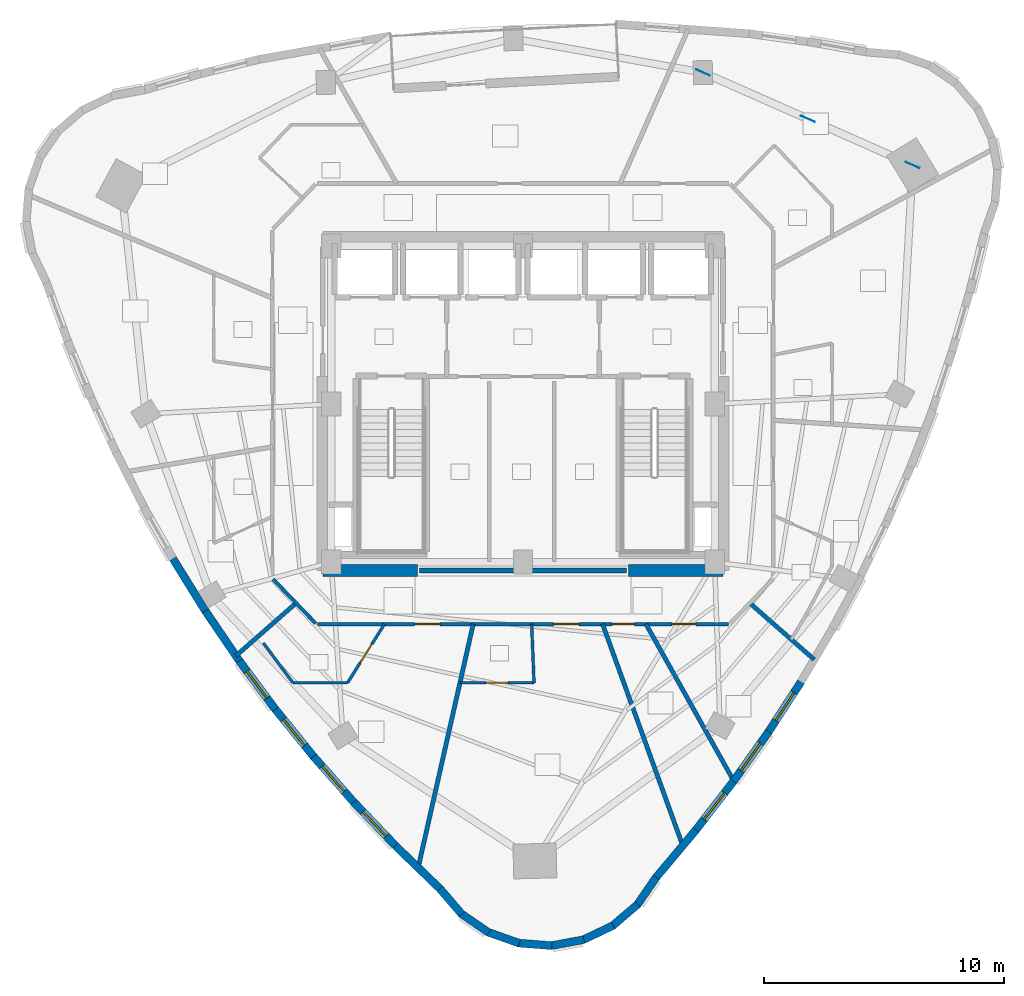
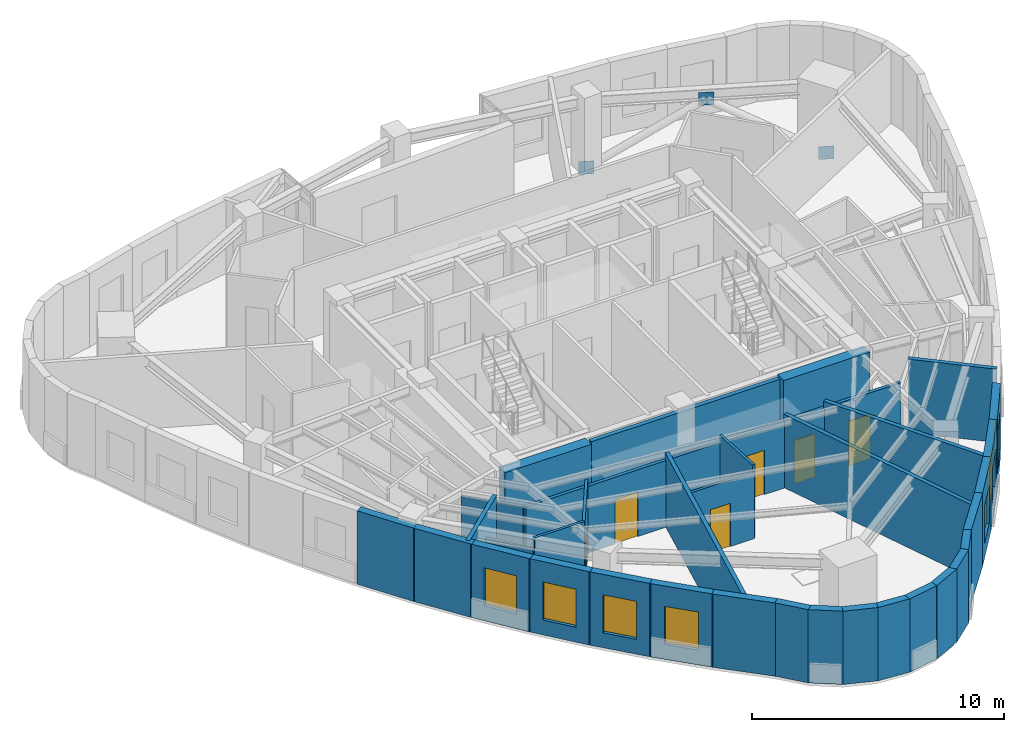
# One storey, part 5 of 12: 34 walls, 7 windows, 6 doors, 3 plates, 13 openings.
"""IFC4 building model written with IfcOpenShell, lengths in metres."""

from ifc_helpers import new_model, si_unit, direction, frame, frame_2d, origin, origin_2d, place, context, subcontext, project, spatial, rectangle, extrude, material, layer, layer_set, type_object, element, fill, save


model = new_model("IFC4")

# Units and contexts
model_context = context("Model", 3, precision=1e-05, world=origin(), true_north=direction((0.0, 1.0)))
body_context = subcontext(model_context, "Body", "Model", "MODEL_VIEW")
ifc_project = project(units=[si_unit("LENGTHUNIT", "METRE"), si_unit("AREAUNIT", "SQUARE_METRE"), si_unit("VOLUMEUNIT", "CUBIC_METRE"), si_unit("PLANEANGLEUNIT", "RADIAN"), si_unit("MASSUNIT", "GRAM", prefix="KILO")], contexts=[model_context])

# Site, building, storey
site_placement = place(None, origin())
site = spatial("IfcSite", under=ifc_project, at=site_placement, CompositionType="ELEMENT")
building_placement = place(site_placement, origin())
building = spatial("IfcBuilding", under=site, at=building_placement, Name="Ndelora Gate Hotel", CompositionType="ELEMENT")
storey_placement = place(building_placement, frame((0.0, 0.0, 220.75)))
storey = spatial("IfcBuildingStorey", under=building, at=storey_placement, Name="L55", CompositionType="ELEMENT", Elevation=220.75)

# Plates
ifc_material_1 = material(Name="Steel S355", Category="steel")
ifc_layer_1 = layer(ifc_material_1, 0.02001953125)
ifc_layer_set_1 = layer_set([ifc_layer_1], Name="Steel S355")
plate_type = type_object("IfcPlateType", Name="PL-NODE-VN1", PredefinedType="USERDEFINED", material=ifc_layer_set_1)
for number, where, z_axis, x_axis, name in (
    (1, (16.26025390625, 9.96435546875, -0.2900390625), (0.0, 0.0, 1.0), (-0.914818748228, 0.403864652935, 0.0), "Node gusset cap plate VN1"),
    (2, (7.50830078125, 13.828369140625, -0.2900390625), (0.0, 0.0, 1.0), (-0.914818748228, 0.403864652935, 0.0), "Node gusset cap plate VN1"),
    (3, (11.88427734375, 11.896484375, 2.68994140625), (0.0, 0.0, 1.0), (-0.914818748228, 0.403864652935, 0.0), "Node gusset cap plate VN1"),
):
    element("IfcPlate", number, at=place(storey_placement, frame(where, z_axis=z_axis, x_axis=x_axis)), inside=storey, type_object=plate_type, Name=name, ObjectType="GUSSET_PLATE", PredefinedType="USERDEFINED", context=body_context, shape_type="SweptSolid", body=[
        extrude(rectangle(XDim=0.6201171875, YDim=0.02001953125, at=origin_2d()), origin(), (0.0, 0.0, 1.0), 0.6201171875),
    ])

# Walls
ifc_material_2 = material(Name="Acoustic Double-Stud Gypsum Assembly", Category="gypsum")
ifc_layer_2 = layer(ifc_material_2, 0.179931640625)
ifc_layer_set_2 = layer_set([ifc_layer_2], Name="Acoustic Double-Stud Gypsum Assembly")
wall_type_1 = type_object("IfcWallType", Name="WL-ACOUST-180", PredefinedType="PARTITIONING", material=ifc_layer_set_2)
wall_1_placement = place(storey_placement, frame((9.464111328125, -8.3037109375, 0.0), z_axis=(0.0, 0.0, 1.0), x_axis=(0.751709245101, -0.659494663231, 0.0)))
element("IfcWall", 4, at=wall_1_placement, inside=storey, type_object=wall_type_1, Name="L55 Interior Wall IW-3", PredefinedType="PARTITIONING", context=body_context, shape_type="SweptSolid", body=[
    extrude(rectangle(XDim=3.576904296875, YDim=0.179931640625, at=frame_2d((1.78857421875, 0.0))), origin(), (0.0, 0.0, 1.0), 3.550048828125),
])
wall_2_placement = place(storey_placement, frame((-9.464111328125, -8.3037109375, 0.0), z_axis=(0.0, 0.0, 1.0), x_axis=(-0.751711445712, -0.659492154909, 0.0)))
element("IfcWall", 5, at=wall_2_placement, inside=storey, type_object=wall_type_1, Name="L55 Interior Wall IW-3", PredefinedType="PARTITIONING", context=body_context, shape_type="SweptSolid", body=[
    extrude(rectangle(XDim=3.341064453125, YDim=0.179931640625, at=frame_2d((1.67041015625, 0.0))), origin(), (0.0, 0.0, 1.0), 3.550048828125),
])
wall_3_placement = place(storey_placement, frame((-2.073486328125, -9.179931640625, 0.0), z_axis=(0.0, 0.0, 1.0), x_axis=(-0.220339233084, -0.975423304194, 0.0)))
element("IfcWall", 6, at=wall_3_placement, inside=storey, type_object=wall_type_1, Name="L55 Interior Wall IW-3", PredefinedType="PARTITIONING", context=body_context, shape_type="SweptSolid", body=[
    extrude(rectangle(XDim=10.423095703125, YDim=0.179931640625, at=frame_2d((5.21142578125, 0.0))), origin(), (0.0, 0.0, 1.0), 3.550048828125),
])
wall_4_placement = place(storey_placement, frame((3.322021484375, -9.179931640625, 0.0), z_axis=(0.0, 0.0, 1.0), x_axis=(0.340249588168, -0.940335162456, 0.0)))
element("IfcWall", 7, at=wall_4_placement, inside=storey, type_object=wall_type_1, Name="L55 Interior Wall IW-3", PredefinedType="PARTITIONING", context=body_context, shape_type="SweptSolid", body=[
    extrude(rectangle(XDim=9.833740234375, YDim=0.179931640625, at=frame_2d((4.9169921875, 0.0))), origin(), (0.0, 0.0, 1.0), 3.550048828125),
])
wall_5_placement = place(storey_placement, frame((5.13330078125, -9.179931640625, 0.0), z_axis=(0.0, 0.0, 1.0), x_axis=(0.488070082924, -0.872804442103, 0.0)))
element("IfcWall", 8, at=wall_5_placement, inside=storey, type_object=wall_type_1, Name="L55 Interior Wall IW-3", PredefinedType="PARTITIONING", context=body_context, shape_type="SweptSolid", body=[
    extrude(rectangle(XDim=7.501220703125, YDim=0.179931640625, at=frame_2d((3.75048828125, 0.0))), origin(), (0.0, 0.0, 1.0), 3.550048828125),
])
ifc_material_3 = material(Name="Clay Brick Masonry", Category="masonry")
ifc_layer_3 = layer(ifc_material_3, 0.330078125)
ifc_layer_set_3 = layer_set([ifc_layer_3], Name="Clay Brick Masonry")
wall_type_2 = type_object("IfcWallType", Name="WL-BRICK-330", PredefinedType="SOLIDWALL", material=ifc_layer_set_3)
wall_6_placement = place(storey_placement, frame((-13.249755859375, -8.63427734375, 0.0), z_axis=(0.0, 0.0, 1.0), x_axis=(-0.526908054593, 0.849922291745, 0.0)))
element("IfcWall", 9, at=wall_6_placement, inside=storey, type_object=wall_type_2, Name="L55 Tower Brick Pier-and-Spandrel Wall TWR-14", PredefinedType="SOLIDWALL", context=body_context, shape_type="SweptSolid", body=[
    extrude(rectangle(XDim=2.56591796875, YDim=0.330078125, at=frame_2d((1.282958984375, 0.0))), origin(), (0.0, 0.0, 1.0), 3.550048828125),
])
wall_7_placement = place(storey_placement, frame((-11.83447265625, -10.714599609375, 0.0), z_axis=(0.0, 0.0, 1.0), x_axis=(-0.562164288669, 0.827025581554, 0.0)))
element("IfcWall", 10, at=wall_7_placement, inside=storey, type_object=wall_type_2, Name="L55 Tower Brick Pier-and-Spandrel Wall TWR-15", PredefinedType="SOLIDWALL", context=body_context, shape_type="SweptSolid", body=[
    extrude(rectangle(XDim=2.566162109375, YDim=0.330078125, at=frame_2d((1.283203125, 0.0))), origin(), (0.0, 0.0, 1.0), 3.550048828125),
])

# Wall, opening, window
wall_8_placement = place(storey_placement, frame((-10.330810546875, -12.737548828125, 0.0), z_axis=(0.0, 0.0, 1.0), x_axis=(-0.596178851143, 0.802851653451, 0.0)))
wall_8 = element("IfcWall", 11, at=wall_8_placement, inside=storey, type_object=wall_type_2, Name="L55 Tower Brick Pier-and-Spandrel Wall TWR-16", PredefinedType="SOLIDWALL", context=body_context, shape_type="SweptSolid", body=[
    extrude(rectangle(XDim=2.570556640625, YDim=0.330078125, at=frame_2d((1.28515625, 0.0))), origin(), (0.0, 0.0, 1.0), 3.550048828125),
])
opening_1_placement = place(wall_8_placement, frame((0.585205078125, 0.0, 0.719970703125)))
opening_1 = element("IfcOpeningElement", 12, at=opening_1_placement, cuts=wall_8, Name="Opening W02", PredefinedType="OPENING", context=body_context, shape_type="SweptSolid", body=[
    extrude(rectangle(XDim=1.39990234375, YDim=1.840087890625, at=frame_2d((0.699951171875, 0.919921875))), frame((0.0, 0.175048828125, 0.0), z_axis=(0.0, -1.0, 0.0), x_axis=(1.0, 0.0, 0.0)), (0.0, 0.0, 1.0), 0.35009765625),
])
ifc_material_4 = material(Name="Insulated Low-E Double Glazing in Bronze Aluminium Frame", Category="aluminium")
window_type = type_object("IfcWindowType", Name="WN-DEEP-1400", PartitioningType="SINGLE_PANEL", PredefinedType="WINDOW", material=ifc_material_4)
window_1_placement = place(opening_1_placement, origin())
window_1 = element("IfcWindow", 13, at=window_1_placement, inside=storey, type_object=window_type, Name="L55 Deep-Set Brick-Pier Window W02", OverallHeight=1.840087890625, OverallWidth=1.39990234375, PartitioningType="SINGLE_PANEL", PredefinedType="WINDOW", context=body_context, shape_type="SweptSolid", body=[
    extrude(rectangle(XDim=1.39990234375, YDim=1.840087890625, at=frame_2d((0.699951171875, 0.919921875))), frame((0.0, 0.030029296875, 0.0), z_axis=(0.0, -1.0, 0.0), x_axis=(1.0, 0.0, 0.0)), (0.0, 0.0, 1.0), 0.06005859375),
])
fill(opening_1, window_1)

wall_9_placement = place(storey_placement, frame((-8.738525390625, -14.702880859375, 0.0), z_axis=(0.0, 0.0, 1.0), x_axis=(-0.629151938827, 0.777282341154, 0.0)))
wall_9 = element("IfcWall", 14, at=wall_9_placement, inside=storey, type_object=wall_type_2, Name="L55 Tower Brick Pier-and-Spandrel Wall TWR-17", PredefinedType="SOLIDWALL", context=body_context, shape_type="SweptSolid", body=[
    extrude(rectangle(XDim=2.579345703125, YDim=0.330078125, at=frame_2d((1.28955078125, 0.0))), origin(), (0.0, 0.0, 1.0), 3.550048828125),
])
opening_2_placement = place(wall_9_placement, frame((0.589599609375, 0.0, 0.719970703125)))
opening_2 = element("IfcOpeningElement", 15, at=opening_2_placement, cuts=wall_9, Name="Opening W02", PredefinedType="OPENING", context=body_context, shape_type="SweptSolid", body=[
    extrude(rectangle(XDim=1.39990234375, YDim=1.840087890625, at=frame_2d((0.699951171875, 0.919921875))), frame((0.0, 0.175048828125, 0.0), z_axis=(0.0, -1.0, 0.0), x_axis=(1.0, 0.0, 0.0)), (0.0, 0.0, 1.0), 0.35009765625),
])
window_2_placement = place(opening_2_placement, origin())
window_2 = element("IfcWindow", 16, at=window_2_placement, inside=storey, type_object=window_type, Name="L55 Deep-Set Brick-Pier Window W02", OverallHeight=1.840087890625, OverallWidth=1.39990234375, PartitioningType="SINGLE_PANEL", PredefinedType="WINDOW", context=body_context, shape_type="SweptSolid", body=[
    extrude(rectangle(XDim=1.39990234375, YDim=1.840087890625, at=frame_2d((0.699951171875, 0.919921875))), frame((0.0, 0.030029296875, 0.0), z_axis=(0.0, -1.0, 0.0), x_axis=(1.0, 0.0, 0.0)), (0.0, 0.0, 1.0), 0.06005859375),
])
fill(opening_2, window_2)

wall_10_placement = place(storey_placement, frame((-7.057861328125, -16.61083984375, 0.0), z_axis=(0.0, 0.0, 1.0), x_axis=(-0.660708561144, 0.75064252293, 0.0)))
wall_10 = element("IfcWall", 17, at=wall_10_placement, inside=storey, type_object=wall_type_2, Name="L55 Tower Brick Pier-and-Spandrel Wall TWR-18", PredefinedType="SOLIDWALL", context=body_context, shape_type="SweptSolid", body=[
    extrude(rectangle(XDim=2.592529296875, YDim=0.330078125, at=frame_2d((1.29638671875, 0.0))), origin(), (0.0, 0.0, 1.0), 3.550048828125),
])
opening_3_placement = place(wall_10_placement, frame((0.59619140625, 0.0, 0.719970703125)))
opening_3 = element("IfcOpeningElement", 18, at=opening_3_placement, cuts=wall_10, Name="Opening W02", PredefinedType="OPENING", context=body_context, shape_type="SweptSolid", body=[
    extrude(rectangle(XDim=1.39990234375, YDim=1.840087890625, at=frame_2d((0.699951171875, 0.919921875))), frame((0.0, 0.175048828125, 0.0), z_axis=(0.0, -1.0, 0.0), x_axis=(1.0, 0.0, 0.0)), (0.0, 0.0, 1.0), 0.35009765625),
])
window_3_placement = place(opening_3_placement, origin())
window_3 = element("IfcWindow", 19, at=window_3_placement, inside=storey, type_object=window_type, Name="L55 Deep-Set Brick-Pier Window W02", OverallHeight=1.840087890625, OverallWidth=1.39990234375, PartitioningType="SINGLE_PANEL", PredefinedType="WINDOW", context=body_context, shape_type="SweptSolid", body=[
    extrude(rectangle(XDim=1.39990234375, YDim=1.840087890625, at=frame_2d((0.699951171875, 0.919921875))), frame((0.0, 0.030029296875, 0.0), z_axis=(0.0, -1.0, 0.0), x_axis=(1.0, 0.0, 0.0)), (0.0, 0.0, 1.0), 0.06005859375),
])
fill(opening_3, window_3)

wall_11_placement = place(storey_placement, frame((-5.28857421875, -18.461181640625, 0.0), z_axis=(0.0, 0.0, 1.0), x_axis=(-0.690836041792, 0.723011454516, 0.0)))
wall_11 = element("IfcWall", 20, at=wall_11_placement, inside=storey, type_object=wall_type_2, Name="L55 Tower Brick Pier-and-Spandrel Wall TWR-19", PredefinedType="SOLIDWALL", context=body_context, shape_type="SweptSolid", body=[
    extrude(rectangle(XDim=2.610107421875, YDim=0.330078125, at=frame_2d((1.30517578125, 0.0))), origin(), (0.0, 0.0, 1.0), 3.550048828125),
])
opening_4_placement = place(wall_11_placement, frame((0.60498046875, 0.0, 0.719970703125)))
opening_4 = element("IfcOpeningElement", 21, at=opening_4_placement, cuts=wall_11, Name="Opening W02", PredefinedType="OPENING", context=body_context, shape_type="SweptSolid", body=[
    extrude(rectangle(XDim=1.39990234375, YDim=1.840087890625, at=frame_2d((0.699951171875, 0.919921875))), frame((0.0, 0.175048828125, 0.0), z_axis=(0.0, -1.0, 0.0), x_axis=(1.0, 0.0, 0.0)), (0.0, 0.0, 1.0), 0.35009765625),
])
window_4_placement = place(opening_4_placement, origin())
window_4 = element("IfcWindow", 22, at=window_4_placement, inside=storey, type_object=window_type, Name="L55 Deep-Set Brick-Pier Window W02", OverallHeight=1.840087890625, OverallWidth=1.39990234375, PartitioningType="SINGLE_PANEL", PredefinedType="WINDOW", context=body_context, shape_type="SweptSolid", body=[
    extrude(rectangle(XDim=1.39990234375, YDim=1.840087890625, at=frame_2d((0.699951171875, 0.919921875))), frame((0.0, 0.030029296875, 0.0), z_axis=(0.0, -1.0, 0.0), x_axis=(1.0, 0.0, 0.0)), (0.0, 0.0, 1.0), 0.06005859375),
])
fill(opening_4, window_4)

# Walls
wall_12_placement = place(storey_placement, frame((-3.430908203125, -20.25390625, 0.0), z_axis=(0.0, 0.0, 1.0), x_axis=(-0.719291162425, 0.694708732964, 0.0)))
element("IfcWall", 23, at=wall_12_placement, inside=storey, type_object=wall_type_2, Name="L55 Tower Brick Pier-and-Spandrel Wall TWR-20", PredefinedType="SOLIDWALL", context=body_context, shape_type="SweptSolid", body=[
    extrude(rectangle(XDim=2.6318359375, YDim=0.330078125, at=frame_2d((1.31591796875, 0.0))), origin(), (0.0, 0.0, 1.0), 3.550048828125),
])
for number, where, z_axis, x_axis, name in (
    (24, (-2.55126953125, -21.287841796875, 0.0), (0.0, 0.0, 1.0), (-0.649318671118, 0.760516445146, 0.0), "L55 Tower Brick Pier-and-Spandrel Wall TWR-21"),
    (25, (-1.427978515625, -22.0517578125, 0.0), (0.0, 0.0, 1.0), (-0.824148199331, 0.566374209812, 0.0), "L55 Tower Brick Pier-and-Spandrel Wall TWR-22"),
    (26, (-0.1455078125, -22.4990234375, 0.0), (0.0, 0.0, 1.0), (-0.942656791627, 0.33376364871, 0.0), "L55 Tower Brick Pier-and-Spandrel Wall TWR-23"),
    (27, (1.209228515625, -22.599365234375, 0.0), (0.0, 0.0, 1.0), (-0.996907811278, 0.07857999626, 0.0), "L55 Tower Brick Pier-and-Spandrel Wall TWR-24"),
):
    element("IfcWall", number, at=place(storey_placement, frame(where, z_axis=z_axis, x_axis=x_axis)), inside=storey, type_object=wall_type_2, Name=name, PredefinedType="SOLIDWALL", context=body_context, shape_type="SweptSolid", body=[
        extrude(rectangle(XDim=1.407470703125, YDim=0.330078125, at=frame_2d((0.70361328125, 0.0))), origin(), (0.0, 0.0, 1.0), 3.550048828125),
    ])
for number, where, z_axis, x_axis, name in (
    (28, (2.543701171875, -22.34521484375, 0.0), (0.0, 0.0, 1.0), (-0.983245180137, -0.182288002174, 0.0), "L55 Tower Brick Pier-and-Spandrel Wall TWR-25"),
    (29, (3.766845703125, -21.754638671875, 0.0), (0.0, 0.0, 1.0), (-0.902597460438, -0.43048556818, 0.0), "L55 Tower Brick Pier-and-Spandrel Wall TWR-26"),
):
    element("IfcWall", number, at=place(storey_placement, frame(where, z_axis=z_axis, x_axis=x_axis)), inside=storey, type_object=wall_type_2, Name=name, PredefinedType="SOLIDWALL", context=body_context, shape_type="SweptSolid", body=[
        extrude(rectangle(XDim=1.40771484375, YDim=0.330078125, at=frame_2d((0.703857421875, 0.0))), origin(), (0.0, 0.0, 1.0), 3.550048828125),
    ])
wall_13_placement = place(storey_placement, frame((4.79541015625, -20.86767578125, 0.0), z_axis=(0.0, 0.0, 1.0), x_axis=(-0.760430782952, -0.64941898982, 0.0)))
element("IfcWall", 30, at=wall_13_placement, inside=storey, type_object=wall_type_2, Name="L55 Tower Brick Pier-and-Spandrel Wall TWR-27", PredefinedType="SOLIDWALL", context=body_context, shape_type="SweptSolid", body=[
    extrude(rectangle(XDim=1.407470703125, YDim=0.330078125, at=frame_2d((0.70361328125, 0.0))), origin(), (0.0, 0.0, 1.0), 3.550048828125),
])
wall_14_placement = place(storey_placement, frame((5.5595703125, -19.744384765625, 0.0), z_axis=(0.0, 0.0, 1.0), x_axis=(-0.566411052666, -0.824122878834, 0.0)))
element("IfcWall", 31, at=wall_14_placement, inside=storey, type_object=wall_type_2, Name="L55 Tower Brick Pier-and-Spandrel Wall TWR-28", PredefinedType="SOLIDWALL", context=body_context, shape_type="SweptSolid", body=[
    extrude(rectangle(XDim=1.40771484375, YDim=0.330078125, at=frame_2d((0.703857421875, 0.0))), origin(), (0.0, 0.0, 1.0), 3.550048828125),
])
wall_15_placement = place(storey_placement, frame((7.220703125, -17.76806640625, 0.0), z_axis=(0.0, 0.0, 1.0), x_axis=(-0.642717664635, -0.766103128545, 0.0)))
element("IfcWall", 32, at=wall_15_placement, inside=storey, type_object=wall_type_2, Name="L55 Tower Brick Pier-and-Spandrel Wall TWR-29", PredefinedType="SOLIDWALL", context=body_context, shape_type="SweptSolid", body=[
    extrude(rectangle(XDim=2.631591796875, YDim=0.330078125, at=frame_2d((1.31591796875, 0.0))), origin(), (0.0, 0.0, 1.0), 3.550048828125),
])

# Wall, opening, window
wall_16_placement = place(storey_placement, frame((8.78515625, -15.74169921875, 0.0), z_axis=(0.0, 0.0, 1.0), x_axis=(-0.611372957331, -0.791342597769, 0.0)))
wall_16 = element("IfcWall", 33, at=wall_16_placement, inside=storey, type_object=wall_type_2, Name="L55 Tower Brick Pier-and-Spandrel Wall TWR-30", PredefinedType="SOLIDWALL", context=body_context, shape_type="SweptSolid", body=[
    extrude(rectangle(XDim=2.610107421875, YDim=0.330078125, at=frame_2d((1.30517578125, 0.0))), origin(), (0.0, 0.0, 1.0), 3.550048828125),
])
opening_5_placement = place(wall_16_placement, frame((0.60498046875, 0.0, 0.719970703125)))
opening_5 = element("IfcOpeningElement", 34, at=opening_5_placement, cuts=wall_16, Name="Opening W02", PredefinedType="OPENING", context=body_context, shape_type="SweptSolid", body=[
    extrude(rectangle(XDim=1.39990234375, YDim=1.840087890625, at=frame_2d((0.699951171875, 0.919921875))), frame((0.0, 0.175048828125, 0.0), z_axis=(0.0, -1.0, 0.0), x_axis=(1.0, 0.0, 0.0)), (0.0, 0.0, 1.0), 0.35009765625),
])
window_5_placement = place(opening_5_placement, origin())
window_5 = element("IfcWindow", 35, at=window_5_placement, inside=storey, type_object=window_type, Name="L55 Deep-Set Brick-Pier Window W02", OverallHeight=1.840087890625, OverallWidth=1.39990234375, PartitioningType="SINGLE_PANEL", PredefinedType="WINDOW", context=body_context, shape_type="SweptSolid", body=[
    extrude(rectangle(XDim=1.39990234375, YDim=1.840087890625, at=frame_2d((0.699951171875, 0.919921875))), frame((0.0, 0.030029296875, 0.0), z_axis=(0.0, -1.0, 0.0), x_axis=(1.0, 0.0, 0.0)), (0.0, 0.0, 1.0), 0.06005859375),
])
fill(opening_5, window_5)

wall_17_placement = place(storey_placement, frame((10.255615234375, -13.66748046875, 0.0), z_axis=(0.0, 0.0, 1.0), x_axis=(-0.578652053692, -0.815574521891, 0.0)))
wall_17 = element("IfcWall", 36, at=wall_17_placement, inside=storey, type_object=wall_type_2, Name="L55 Tower Brick Pier-and-Spandrel Wall TWR-31", PredefinedType="SOLIDWALL", context=body_context, shape_type="SweptSolid", body=[
    extrude(rectangle(XDim=2.5927734375, YDim=0.330078125, at=frame_2d((1.29638671875, 0.0))), origin(), (0.0, 0.0, 1.0), 3.550048828125),
])
opening_6_placement = place(wall_17_placement, frame((0.59619140625, 0.0, 0.719970703125)))
opening_6 = element("IfcOpeningElement", 37, at=opening_6_placement, cuts=wall_17, Name="Opening W02", PredefinedType="OPENING", context=body_context, shape_type="SweptSolid", body=[
    extrude(rectangle(XDim=1.39990234375, YDim=1.840087890625, at=frame_2d((0.699951171875, 0.919921875))), frame((0.0, 0.175048828125, 0.0), z_axis=(0.0, -1.0, 0.0), x_axis=(1.0, 0.0, 0.0)), (0.0, 0.0, 1.0), 0.35009765625),
])
window_6_placement = place(opening_6_placement, origin())
window_6 = element("IfcWindow", 38, at=window_6_placement, inside=storey, type_object=window_type, Name="L55 Deep-Set Brick-Pier Window W02", OverallHeight=1.840087890625, OverallWidth=1.39990234375, PartitioningType="SINGLE_PANEL", PredefinedType="WINDOW", context=body_context, shape_type="SweptSolid", body=[
    extrude(rectangle(XDim=1.39990234375, YDim=1.840087890625, at=frame_2d((0.699951171875, 0.919921875))), frame((0.0, 0.030029296875, 0.0), z_axis=(0.0, -1.0, 0.0), x_axis=(1.0, 0.0, 0.0)), (0.0, 0.0, 1.0), 0.06005859375),
])
fill(opening_6, window_6)

wall_18_placement = place(storey_placement, frame((11.6318359375, -11.54541015625, 0.0), z_axis=(0.0, 0.0, 1.0), x_axis=(-0.544435959457, -0.838802411805, 0.0)))
wall_18 = element("IfcWall", 39, at=wall_18_placement, inside=storey, type_object=wall_type_2, Name="L55 Tower Brick Pier-and-Spandrel Wall TWR-32", PredefinedType="SOLIDWALL", context=body_context, shape_type="SweptSolid", body=[
    extrude(rectangle(XDim=2.579345703125, YDim=0.330078125, at=frame_2d((1.28955078125, 0.0))), origin(), (0.0, 0.0, 1.0), 3.550048828125),
])
opening_7_placement = place(wall_18_placement, frame((0.589599609375, 0.0, 0.719970703125)))
opening_7 = element("IfcOpeningElement", 40, at=opening_7_placement, cuts=wall_18, Name="Opening W02", PredefinedType="OPENING", context=body_context, shape_type="SweptSolid", body=[
    extrude(rectangle(XDim=1.39990234375, YDim=1.840087890625, at=frame_2d((0.699951171875, 0.919921875))), frame((0.0, 0.175048828125, 0.0), z_axis=(0.0, -1.0, 0.0), x_axis=(1.0, 0.0, 0.0)), (0.0, 0.0, 1.0), 0.35009765625),
])
window_7_placement = place(opening_7_placement, origin())
window_7 = element("IfcWindow", 41, at=window_7_placement, inside=storey, type_object=window_type, Name="L55 Deep-Set Brick-Pier Window W02", OverallHeight=1.840087890625, OverallWidth=1.39990234375, PartitioningType="SINGLE_PANEL", PredefinedType="WINDOW", context=body_context, shape_type="SweptSolid", body=[
    extrude(rectangle(XDim=1.39990234375, YDim=1.840087890625, at=frame_2d((0.699951171875, 0.919921875))), frame((0.0, 0.030029296875, 0.0), z_axis=(0.0, -1.0, 0.0), x_axis=(1.0, 0.0, 0.0)), (0.0, 0.0, 1.0), 0.06005859375),
])
fill(opening_7, window_7)

# Walls
ifc_material_5 = material(Name="Concrete C50/60", Category="concrete")
ifc_layer_4 = layer(ifc_material_5, 0.5)
ifc_layer_set_4 = layer_set([ifc_layer_4], Name="Concrete C50/60")
wall_type_3 = type_object("IfcWallType", Name="WL-CORE-500", PredefinedType="SHEAR", material=ifc_layer_set_4)
for number, where, z_axis, x_axis, name in (
    (42, (-8.35009765625, -6.949951171875, 0.0), (0.0, 0.0, 1.0), (1.0, 0.0, 0.0), "L55 Core Shear Wall S-W"),
    (43, (4.39990234375, -6.949951171875, 0.0), (0.0, 0.0, 1.0), (1.0, 0.0, 0.0), "L55 Core Shear Wall S-E"),
):
    element("IfcWall", number, at=place(storey_placement, frame(where, z_axis=z_axis, x_axis=x_axis)), inside=storey, type_object=wall_type_3, Name=name, PredefinedType="SHEAR", context=body_context, shape_type="SweptSolid", body=[
        extrude(rectangle(XDim=3.9501953125, YDim=0.5, at=frame_2d((1.97509765625, 0.0))), origin(), (0.0, 0.0, 1.0), 3.550048828125),
    ])
ifc_material_6 = material(Name="Concrete C40/50", Category="concrete")
ifc_layer_5 = layer(ifc_material_6, 0.199951171875)
ifc_layer_set_5 = layer_set([ifc_layer_5], Name="Concrete C40/50")
wall_type_4 = type_object("IfcWallType", Name="WL-FIRE-200", PredefinedType="PARTITIONING", material=ifc_layer_set_5)
wall_19_placement = place(storey_placement, frame((-4.320068359375, -6.949951171875, 0.0), z_axis=(0.0, 0.0, 1.0), x_axis=(1.0, 0.0, 0.0)))
element("IfcWall", 44, at=wall_19_placement, inside=storey, type_object=wall_type_4, Name="L55 Interior Wall IW-2", PredefinedType="PARTITIONING", context=body_context, shape_type="SweptSolid", body=[
    extrude(rectangle(XDim=8.64013671875, YDim=0.199951171875, at=frame_2d((4.320068359375, 0.0))), origin(), (0.0, 0.0, 1.0), 3.550048828125),
])

# Wall, openings, doors
ifc_material_7 = material(Name="Fire-Rated Gypsum Stud Partition", Category="gypsum")
ifc_layer_6 = layer(ifc_material_7, 0.14990234375)
ifc_layer_set_6 = layer_set([ifc_layer_6], Name="Fire-Rated Gypsum Stud Partition")
wall_type_5 = type_object("IfcWallType", Name="WL-PART-150", PredefinedType="PARTITIONING", material=ifc_layer_set_6)
wall_20_placement = place(storey_placement, frame((8.580078125, -9.179931640625, 0.0), z_axis=(0.0, 0.0, 1.0), x_axis=(-1.0, 0.0, 0.0)))
wall_20 = element("IfcWall", 45, at=wall_20_placement, inside=storey, type_object=wall_type_5, Name="L55 Interior Wall IW-5", PredefinedType="PARTITIONING", context=body_context, shape_type="SweptSolid", body=[
    extrude(rectangle(XDim=17.16015625, YDim=0.14990234375, at=frame_2d((8.580078125, 0.0))), origin(), (0.0, 0.0, 1.0), 3.22998046875),
])
opening_8_placement = place(wall_20_placement, frame((3.91552734375, 0.0, 0.0)))
opening_8 = element("IfcOpeningElement", 46, at=opening_8_placement, cuts=wall_20, Name="Opening D05", PredefinedType="OPENING", context=body_context, shape_type="SweptSolid", body=[
    extrude(rectangle(XDim=0.949951171875, YDim=2.10009765625, at=frame_2d((0.47509765625, 1.050048828125))), frame((0.0, 0.0849609375, 0.0), z_axis=(0.0, -1.0, 0.0), x_axis=(1.0, 0.0, 0.0)), (0.0, 0.0, 1.0), 0.169921875),
])
opening_9_placement = place(wall_20_placement, frame((1.36328125, 0.0, 0.0)))
opening_9 = element("IfcOpeningElement", 47, at=opening_9_placement, cuts=wall_20, Name="Opening D01", PredefinedType="OPENING", context=body_context, shape_type="SweptSolid", body=[
    extrude(rectangle(XDim=1.0, YDim=2.14990234375, at=frame_2d((0.5, 1.074951171875))), frame((0.0, 0.0849609375, 0.0), z_axis=(0.0, -1.0, 0.0), x_axis=(1.0, 0.0, 0.0)), (0.0, 0.0, 1.0), 0.169921875),
])
opening_10_placement = place(wall_20_placement, frame((12.0380859375, 0.0, 0.0)))
opening_10 = element("IfcOpeningElement", 48, at=opening_10_placement, cuts=wall_20, Name="Opening D07", PredefinedType="OPENING", context=body_context, shape_type="SweptSolid", body=[
    extrude(rectangle(XDim=1.06005859375, YDim=2.14990234375, at=frame_2d((0.530029296875, 1.074951171875))), frame((0.0, 0.0849609375, 0.0), z_axis=(0.0, -1.0, 0.0), x_axis=(1.0, 0.0, 0.0)), (0.0, 0.0, 1.0), 0.169921875),
])
opening_11_placement = place(wall_20_placement, frame((6.250732421875, 0.0, 0.0)))
opening_11 = element("IfcOpeningElement", 49, at=opening_11_placement, cuts=wall_20, Name="Opening D07", PredefinedType="OPENING", context=body_context, shape_type="SweptSolid", body=[
    extrude(rectangle(XDim=1.06005859375, YDim=2.14990234375, at=frame_2d((0.530029296875, 1.074951171875))), frame((0.0, 0.0849609375, 0.0), z_axis=(0.0, -1.0, 0.0), x_axis=(1.0, 0.0, 0.0)), (0.0, 0.0, 1.0), 0.169921875),
])
ifc_material_8 = material(Name="Accessible Restroom Wide-Clearance Door", Category="wood")
door_type_1 = type_object("IfcDoorType", Name="DR-ACC-950", OperationType="SINGLE_SWING_LEFT", PredefinedType="DOOR", material=ifc_material_8)
door_1_placement = place(opening_8_placement, origin())
door_1 = element("IfcDoor", 50, at=door_1_placement, inside=storey, type_object=door_type_1, Name="L55 Male Public Restroom Entrance Door", OperationType="SINGLE_SWING_RIGHT", OverallHeight=2.10009765625, OverallWidth=0.949951171875, PredefinedType="DOOR", context=body_context, shape_type="SweptSolid", body=[
    extrude(rectangle(XDim=0.949951171875, YDim=2.10009765625, at=frame_2d((0.47509765625, 1.050048828125))), frame((0.0, 0.02490234375, 0.0), z_axis=(0.0, -1.0, 0.0), x_axis=(1.0, 0.0, 0.0)), (0.0, 0.0, 1.0), 0.050048828125),
])
fill(opening_8, door_1)
ifc_material_9 = material(Name="Acoustic Hardwood Guest Entrance Door", Category="wood")
door_type_2 = type_object("IfcDoorType", Name="DR-COR-1000", OperationType="SINGLE_SWING_LEFT", PredefinedType="DOOR", material=ifc_material_9)
door_2_placement = place(opening_9_placement, origin())
door_2 = element("IfcDoor", 51, at=door_2_placement, inside=storey, type_object=door_type_2, Name="L55 Housekeeping and Linen Room Entrance Door", OperationType="SINGLE_SWING_RIGHT", OverallHeight=2.14990234375, OverallWidth=1.0, PredefinedType="DOOR", context=body_context, shape_type="SweptSolid", body=[
    extrude(rectangle(XDim=1.0, YDim=2.14990234375, at=frame_2d((0.5, 1.074951171875))), frame((0.0, 0.02490234375, 0.0), z_axis=(0.0, -1.0, 0.0), x_axis=(1.0, 0.0, 0.0)), (0.0, 0.0, 1.0), 0.050048828125),
])
fill(opening_9, door_2)
ifc_material_10 = material(Name="Diplomatic Suite Acoustic Entrance Door", Category="wood")
door_type_3 = type_object("IfcDoorType", Name="DR-SUITE-1060", OperationType="SINGLE_SWING_LEFT", PredefinedType="DOOR", material=ifc_material_10)
door_3_placement = place(opening_10_placement, origin())
door_3 = element("IfcDoor", 52, at=door_3_placement, inside=storey, type_object=door_type_3, Name="L55 Corner Horizon Suite 5807 Entrance Door", OperationType="SINGLE_SWING_RIGHT", OverallHeight=2.14990234375, OverallWidth=1.06005859375, PredefinedType="DOOR", context=body_context, shape_type="SweptSolid", body=[
    extrude(rectangle(XDim=1.06005859375, YDim=2.14990234375, at=frame_2d((0.530029296875, 1.074951171875))), frame((0.0, 0.02490234375, 0.0), z_axis=(0.0, -1.0, 0.0), x_axis=(1.0, 0.0, 0.0)), (0.0, 0.0, 1.0), 0.050048828125),
])
fill(opening_10, door_3)
door_4_placement = place(opening_11_placement, origin())
door_4 = element("IfcDoor", 53, at=door_4_placement, inside=storey, type_object=door_type_3, Name="L55 Altitude Club Junior Suite 5808 Entrance Door", OperationType="SINGLE_SWING_RIGHT", OverallHeight=2.14990234375, OverallWidth=1.06005859375, PredefinedType="DOOR", context=body_context, shape_type="SweptSolid", body=[
    extrude(rectangle(XDim=1.06005859375, YDim=2.14990234375, at=frame_2d((0.530029296875, 1.074951171875))), frame((0.0, 0.02490234375, 0.0), z_axis=(0.0, -1.0, 0.0), x_axis=(1.0, 0.0, 0.0)), (0.0, 0.0, 1.0), 0.050048828125),
])
fill(opening_11, door_4)

# Wall
wall_21_placement = place(storey_placement, frame((-8.647705078125, -9.151123046875, 0.0), z_axis=(0.0, 0.0, 1.0), x_axis=(-0.693764562202, 0.720201869085, 0.0)))
element("IfcWall", 54, at=wall_21_placement, inside=storey, type_object=wall_type_5, Name="L55 Interior Wall IW-5", PredefinedType="PARTITIONING", context=body_context, shape_type="SweptSolid", body=[
    extrude(rectangle(XDim=2.55810546875, YDim=0.14990234375, at=frame_2d((1.279052734375, 0.0))), origin(), (0.0, 0.0, 1.0), 3.22998046875),
])

# Wall, opening, door
ifc_material_11 = material(Name="Moisture-Resistant Bathroom Tile Partition", Category="gypsum")
ifc_layer_7 = layer(ifc_material_11, 0.1201171875)
ifc_layer_set_7 = layer_set([ifc_layer_7], Name="Moisture-Resistant Bathroom Tile Partition")
wall_type_6 = type_object("IfcWallType", Name="WL-WET-120", PredefinedType="PARTITIONING", material=ifc_layer_set_7)
wall_22_placement = place(storey_placement, frame((-5.77490234375, -9.179931640625, 0.0), z_axis=(0.0, 0.0, 1.0), x_axis=(-0.532491083383, -0.846435612506, 0.0)))
wall_22 = element("IfcWall", 55, at=wall_22_placement, inside=storey, type_object=wall_type_6, Name="L55 Interior Wall IW-7", PredefinedType="PARTITIONING", context=body_context, shape_type="SweptSolid", body=[
    extrude(rectangle(XDim=2.89453125, YDim=0.1201171875, at=frame_2d((1.447265625, 0.0))), origin(), (0.0, 0.0, 1.0), 3.550048828125),
])
opening_12_placement = place(wall_22_placement, frame((0.9873046875, 0.0, 0.0)))
opening_12 = element("IfcOpeningElement", 56, at=opening_12_placement, cuts=wall_22, Name="Opening D03", PredefinedType="OPENING", context=body_context, shape_type="SweptSolid", body=[
    extrude(rectangle(XDim=0.919921875, YDim=2.10009765625, at=frame_2d((0.4599609375, 1.050048828125))), frame((0.0, 0.070068359375, 0.0), z_axis=(0.0, -1.0, 0.0), x_axis=(1.0, 0.0, 0.0)), (0.0, 0.0, 1.0), 0.14013671875),
])
ifc_material_12 = material(Name="Moisture-Resistant Hardwood En-Suite Door", Category="wood")
door_type_4 = type_object("IfcDoorType", Name="DR-BATH-920", OperationType="SINGLE_SWING_LEFT", PredefinedType="DOOR", material=ifc_material_12)
door_5_placement = place(opening_12_placement, origin())
door_5 = element("IfcDoor", 57, at=door_5_placement, inside=storey, type_object=door_type_4, Name="L55 En-suite Bathroom 5807 Door", OperationType="SINGLE_SWING_RIGHT", OverallHeight=2.10009765625, OverallWidth=0.919921875, PredefinedType="DOOR", context=body_context, shape_type="SweptSolid", body=[
    extrude(rectangle(XDim=0.919921875, YDim=2.10009765625, at=frame_2d((0.4599609375, 1.050048828125))), frame((0.0, 0.02490234375, 0.0), z_axis=(0.0, -1.0, 0.0), x_axis=(1.0, 0.0, 0.0)), (0.0, 0.0, 1.0), 0.050048828125),
])
fill(opening_12, door_5)

# Walls
wall_23_placement = place(storey_placement, frame((-7.316162109375, -11.6298828125, 0.0), z_axis=(0.0, 0.0, 1.0), x_axis=(-1.0, 0.0, 0.0)))
element("IfcWall", 58, at=wall_23_placement, inside=storey, type_object=wall_type_6, Name="L55 Interior Wall IW-7", PredefinedType="PARTITIONING", context=body_context, shape_type="SweptSolid", body=[
    extrude(rectangle(XDim=2.280029296875, YDim=0.1201171875, at=frame_2d((1.14013671875, 0.0))), origin(), (0.0, 0.0, 1.0), 3.550048828125),
])
wall_24_placement = place(storey_placement, frame((-10.829345703125, -9.9697265625, 0.0), z_axis=(0.0, 0.0, 1.0), x_axis=(0.596291397786, -0.802768066708, 0.0)))
element("IfcWall", 59, at=wall_24_placement, inside=storey, type_object=wall_type_6, Name="L55 Interior Wall IW-7", PredefinedType="PARTITIONING", context=body_context, shape_type="SweptSolid", body=[
    extrude(rectangle(XDim=2.068115234375, YDim=0.1201171875, at=frame_2d((1.0341796875, 0.0))), origin(), (0.0, 0.0, 1.0), 2.97998046875),
])
wall_25_placement = place(storey_placement, frame((0.364990234375, -9.179931640625, 0.0), z_axis=(0.0, 0.0, 1.0), x_axis=(0.039828859638, -0.999206516162, 0.0)))
element("IfcWall", 60, at=wall_25_placement, inside=storey, type_object=wall_type_6, Name="L55 Interior Wall IW-7", PredefinedType="PARTITIONING", context=body_context, shape_type="SweptSolid", body=[
    extrude(rectangle(XDim=2.451904296875, YDim=0.1201171875, at=frame_2d((1.22607421875, 0.0))), origin(), (0.0, 0.0, 1.0), 3.550048828125),
])

# Wall, opening, door
wall_26_placement = place(storey_placement, frame((0.462646484375, -11.6298828125, 0.0), z_axis=(0.0, 0.0, 1.0), x_axis=(-1.0, 0.0, 0.0)))
wall_26 = element("IfcWall", 61, at=wall_26_placement, inside=storey, type_object=wall_type_6, Name="L55 Interior Wall IW-7", PredefinedType="PARTITIONING", context=body_context, shape_type="SweptSolid", body=[
    extrude(rectangle(XDim=3.089599609375, YDim=0.1201171875, at=frame_2d((1.544921875, 0.0))), origin(), (0.0, 0.0, 1.0), 3.22998046875),
])
opening_13_placement = place(wall_26_placement, frame((1.084716796875, 0.0, 0.0)))
opening_13 = element("IfcOpeningElement", 62, at=opening_13_placement, cuts=wall_26, Name="Opening D03", PredefinedType="OPENING", context=body_context, shape_type="SweptSolid", body=[
    extrude(rectangle(XDim=0.919921875, YDim=2.10009765625, at=frame_2d((0.4599609375, 1.050048828125))), frame((0.0, 0.070068359375, 0.0), z_axis=(0.0, -1.0, 0.0), x_axis=(1.0, 0.0, 0.0)), (0.0, 0.0, 1.0), 0.14013671875),
])
door_6_placement = place(opening_13_placement, origin())
door_6 = element("IfcDoor", 63, at=door_6_placement, inside=storey, type_object=door_type_4, Name="L55 En-suite Bathroom 5808 Door", OperationType="SINGLE_SWING_LEFT", OverallHeight=2.10009765625, OverallWidth=0.919921875, PredefinedType="DOOR", context=body_context, shape_type="SweptSolid", body=[
    extrude(rectangle(XDim=0.919921875, YDim=2.10009765625, at=frame_2d((0.4599609375, 1.050048828125))), frame((0.0, 0.02490234375, 0.0), z_axis=(0.0, -1.0, 0.0), x_axis=(1.0, 0.0, 0.0)), (0.0, 0.0, 1.0), 0.050048828125),
])
fill(opening_13, door_6)

save(model, "model.ifc")
